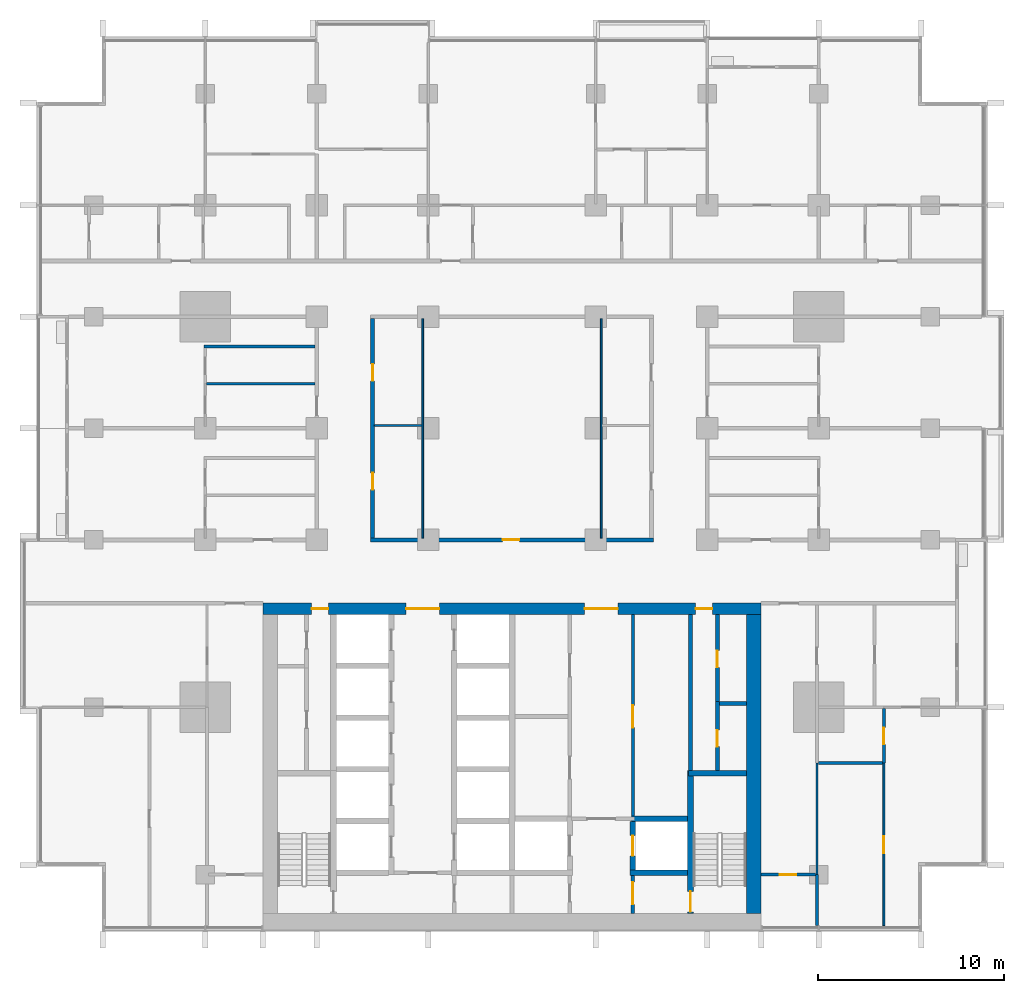
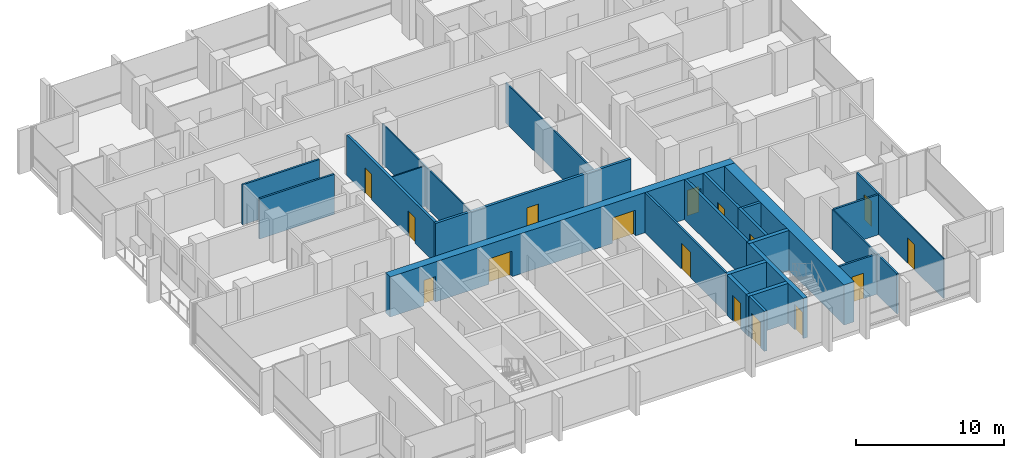
# One storey, part 9 of 17: 26 walls, 16 doors, 16 openings.
"""IFC4 building model written with IfcOpenShell, lengths in metres."""

from ifc_helpers import new_model, si_unit, direction, frame, frame_2d, origin, place, context, subcontext, project, spatial, rectangle, extrude, material, layer, layer_set, type_object, element, fill, save


model = new_model("IFC4")

# Units and contexts
model_context = context("Model", 3, precision=1e-05, world=origin(), true_north=direction((0.0, 1.0)))
body_context = subcontext(model_context, "Body", "Model", "MODEL_VIEW")
ifc_project = project(units=[si_unit("LENGTHUNIT", "METRE"), si_unit("AREAUNIT", "SQUARE_METRE"), si_unit("VOLUMEUNIT", "CUBIC_METRE"), si_unit("PLANEANGLEUNIT", "RADIAN"), si_unit("MASSUNIT", "GRAM", prefix="KILO")], contexts=[model_context])

# Site, building, storey
site_placement = place(None, origin())
site = spatial("IfcSite", under=ifc_project, at=site_placement, CompositionType="ELEMENT")
building_placement = place(site_placement, origin())
building = spatial("IfcBuilding", under=site, at=building_placement, Name="Finial Court Residences", CompositionType="ELEMENT")
storey_placement = place(building_placement, frame((0.0, 0.0, 102.699951171875)))
storey = spatial("IfcBuildingStorey", under=building, at=storey_placement, Name="L25", CompositionType="ELEMENT", Elevation=102.699951171875)

# Wall, openings, doors
ifc_material_1 = material(Name="Concrete C70/85", Category="concrete")
ifc_layer_1 = layer(ifc_material_1, 0.60009765625)
ifc_layer_set_1 = layer_set([ifc_layer_1], Name="Core outer wall 600 Concrete C70/85")
wall_type_1 = type_object("IfcWallType", Name="Core outer wall 600 Concrete C70/85", PredefinedType="SHEAR", material=ifc_layer_set_1)
wall_1_placement = place(storey_placement, frame((-13.39990234375, -8.199951171875, 0.0), z_axis=(0.0, 0.0, 1.0), x_axis=(1.0, 0.0, 0.0)))
wall_1 = element("IfcWall", 1, at=wall_1_placement, inside=storey, type_object=wall_type_1, Name="Core outer wall L25-02", PredefinedType="SHEAR", context=body_context, shape_type="SweptSolid", body=[
    extrude(rectangle(XDim=26.7998046875, YDim=0.60009765625, at=frame_2d((13.39990234375, 0.0))), origin(), (0.0, 0.0, 1.0), 3.300048828125),
])
opening_1_placement = place(wall_1_placement, frame((7.699951171875, 0.0, 0.0)))
opening_1 = element("IfcOpeningElement", 2, at=opening_1_placement, cuts=wall_1, Name="Opening L25-C04", PredefinedType="OPENING", context=body_context, shape_type="SweptSolid", body=[
    extrude(rectangle(XDim=1.800048828125, YDim=2.10009765625, at=frame_2d((0.89990234375, 1.050048828125))), frame((0.0, 0.31005859375, 0.0), z_axis=(0.0, -1.0, 0.0), x_axis=(1.0, 0.0, 0.0)), (0.0, 0.0, 1.0), 0.6201171875),
])
opening_2_placement = place(wall_1_placement, frame((17.300048828125, 0.0, 0.0)))
opening_2 = element("IfcOpeningElement", 3, at=opening_2_placement, cuts=wall_1, Name="Opening L25-C05", PredefinedType="OPENING", context=body_context, shape_type="SweptSolid", body=[
    extrude(rectangle(XDim=1.800048828125, YDim=2.10009765625, at=frame_2d((0.89990234375, 1.050048828125))), frame((0.0, 0.31005859375, 0.0), z_axis=(0.0, -1.0, 0.0), x_axis=(1.0, 0.0, 0.0)), (0.0, 0.0, 1.0), 0.6201171875),
])
opening_3_placement = place(wall_1_placement, frame((2.625, 0.0, 0.0)))
opening_3 = element("IfcOpeningElement", 4, at=opening_3_placement, cuts=wall_1, Name="Opening L25-C11", PredefinedType="OPENING", context=body_context, shape_type="SweptSolid", body=[
    extrude(rectangle(XDim=0.89990234375, YDim=2.10009765625, at=frame_2d((0.449951171875, 1.050048828125))), frame((0.0, 0.31005859375, 0.0), z_axis=(0.0, -1.0, 0.0), x_axis=(1.0, 0.0, 0.0)), (0.0, 0.0, 1.0), 0.6201171875),
])
opening_4_placement = place(wall_1_placement, frame((23.27490234375, 0.0, 0.0)))
opening_4 = element("IfcOpeningElement", 5, at=opening_4_placement, cuts=wall_1, Name="Opening L25-C12", PredefinedType="OPENING", context=body_context, shape_type="SweptSolid", body=[
    extrude(rectangle(XDim=0.89990234375, YDim=2.10009765625, at=frame_2d((0.449951171875, 1.050048828125))), frame((0.0, 0.31005859375, 0.0), z_axis=(0.0, -1.0, 0.0), x_axis=(1.0, 0.0, 0.0)), (0.0, 0.0, 1.0), 0.6201171875),
])
ifc_material_2 = material(Name="Steel fire door", Category="steel")
door_type_1 = type_object("IfcDoorType", Name="Lift lobby door 1800 x 2100 EI 60", OperationType="DOUBLE_DOOR_SINGLE_SWING", PredefinedType="DOOR", material=ifc_material_2)
door_1_placement = place(opening_1_placement, origin())
door_1 = element("IfcDoor", 6, at=door_1_placement, inside=storey, type_object=door_type_1, Name="Lift lobby door L25-C04", OperationType="DOUBLE_DOOR_SINGLE_SWING", OverallHeight=2.10009765625, OverallWidth=1.800048828125, PredefinedType="DOOR", context=body_context, shape_type="SweptSolid", body=[
    extrude(rectangle(XDim=1.800048828125, YDim=2.10009765625, at=frame_2d((0.89990234375, 1.050048828125))), frame((0.0, 0.02490234375, 0.0), z_axis=(0.0, -1.0, 0.0), x_axis=(1.0, 0.0, 0.0)), (0.0, 0.0, 1.0), 0.050048828125),
])
fill(opening_1, door_1)
door_2_placement = place(opening_2_placement, origin())
door_2 = element("IfcDoor", 7, at=door_2_placement, inside=storey, type_object=door_type_1, Name="Lift lobby door L25-C05", OperationType="DOUBLE_DOOR_SINGLE_SWING", OverallHeight=2.10009765625, OverallWidth=1.800048828125, PredefinedType="DOOR", context=body_context, shape_type="SweptSolid", body=[
    extrude(rectangle(XDim=1.800048828125, YDim=2.10009765625, at=frame_2d((0.89990234375, 1.050048828125))), frame((0.0, 0.02490234375, 0.0), z_axis=(0.0, -1.0, 0.0), x_axis=(1.0, 0.0, 0.0)), (0.0, 0.0, 1.0), 0.050048828125),
])
fill(opening_2, door_2)
door_type_2 = type_object("IfcDoorType", Name="Riser room door 900 x 2100 EI 90", OperationType="NOTDEFINED", PredefinedType="DOOR", material=ifc_material_2)
door_3_placement = place(opening_3_placement, origin())
door_3 = element("IfcDoor", 8, at=door_3_placement, inside=storey, type_object=door_type_2, Name="Riser room door L25-C11", OperationType="SINGLE_SWING_RIGHT", OverallHeight=2.10009765625, OverallWidth=0.89990234375, PredefinedType="DOOR", context=body_context, shape_type="SweptSolid", body=[
    extrude(rectangle(XDim=0.89990234375, YDim=2.10009765625, at=frame_2d((0.449951171875, 1.050048828125))), frame((0.0, 0.02490234375, 0.0), z_axis=(0.0, -1.0, 0.0), x_axis=(1.0, 0.0, 0.0)), (0.0, 0.0, 1.0), 0.050048828125),
])
fill(opening_3, door_3)
door_4_placement = place(opening_4_placement, origin())
door_4 = element("IfcDoor", 9, at=door_4_placement, inside=storey, type_object=door_type_2, Name="Riser room door L25-C12", OperationType="SINGLE_SWING_LEFT", OverallHeight=2.10009765625, OverallWidth=0.89990234375, PredefinedType="DOOR", context=body_context, shape_type="SweptSolid", body=[
    extrude(rectangle(XDim=0.89990234375, YDim=2.10009765625, at=frame_2d((0.449951171875, 1.050048828125))), frame((0.0, 0.02490234375, 0.0), z_axis=(0.0, -1.0, 0.0), x_axis=(1.0, 0.0, 0.0)), (0.0, 0.0, 1.0), 0.050048828125),
])
fill(opening_4, door_4)

# Wall
ifc_layer_2 = layer(ifc_material_1, 0.800048828125)
ifc_layer_set_2 = layer_set([ifc_layer_2], Name="Core outer wall 800 Concrete C70/85")
wall_type_2 = type_object("IfcWallType", Name="Core outer wall 800 Concrete C70/85", PredefinedType="SHEAR", material=ifc_layer_set_2)
wall_2_placement = place(storey_placement, frame((13.0, -24.60009765625, 0.0), z_axis=(0.0, 0.0, 1.0), x_axis=(0.0, 1.0, 0.0)))
element("IfcWall", 10, at=wall_2_placement, inside=storey, type_object=wall_type_2, Name="Core outer wall L25-04", PredefinedType="SHEAR", context=body_context, shape_type="SweptSolid", body=[
    extrude(rectangle(XDim=16.10009765625, YDim=0.800048828125, at=frame_2d((8.050048828125, 0.0))), origin(), (0.0, 0.0, 1.0), 3.300048828125),
])

# Wall, opening, door
ifc_material_3 = material(Name="Fire-rated gypsum board partition")
ifc_layer_3 = layer(ifc_material_3, 0.14990234375)
ifc_layer_set_3 = layer_set([ifc_layer_3], Name="Core room partition 150 EI 60")
wall_type_3 = type_object("IfcWallType", Name="Core room partition 150 EI 60", PredefinedType="PARTITIONING", material=ifc_layer_set_3)
wall_3_placement = place(storey_placement, frame((6.5, -8.5, 0.0), z_axis=(0.0, 0.0, 1.0), x_axis=(0.0, -1.0, 0.0)))
wall_3 = element("IfcWall", 11, at=wall_3_placement, inside=storey, type_object=wall_type_3, Name="Core partition L25-35", PredefinedType="PARTITIONING", context=body_context, shape_type="SweptSolid", body=[
    extrude(rectangle(XDim=10.85009765625, YDim=0.14990234375, at=frame_2d((5.425048828125, 0.0))), origin(), (0.0, 0.0, 1.0), 3.300048828125),
])
opening_5_placement = place(wall_3_placement, frame((4.89990234375, 0.0, 0.0)))
opening_5 = element("IfcOpeningElement", 12, at=opening_5_placement, cuts=wall_3, Name="Opening L25-C16", PredefinedType="OPENING", context=body_context, shape_type="SweptSolid", body=[
    extrude(rectangle(XDim=1.199951171875, YDim=2.10009765625, at=frame_2d((0.60009765625, 1.050048828125))), frame((0.0, 0.0849609375, 0.0), z_axis=(0.0, -1.0, 0.0), x_axis=(1.0, 0.0, 0.0)), (0.0, 0.0, 1.0), 0.169921875),
])
door_type_3 = type_object("IfcDoorType", Name="Core room door 1200 x 2100 EI 60", OperationType="NOTDEFINED", PredefinedType="DOOR", material=ifc_material_2)
door_5_placement = place(opening_5_placement, origin())
door_5 = element("IfcDoor", 13, at=door_5_placement, inside=storey, type_object=door_type_3, Name="Core room door L25-C16", OperationType="SINGLE_SWING_RIGHT", OverallHeight=2.10009765625, OverallWidth=1.199951171875, PredefinedType="DOOR", context=body_context, shape_type="SweptSolid", body=[
    extrude(rectangle(XDim=1.199951171875, YDim=2.10009765625, at=frame_2d((0.60009765625, 1.050048828125))), frame((0.0, 0.02490234375, 0.0), z_axis=(0.0, -1.0, 0.0), x_axis=(1.0, 0.0, 0.0)), (0.0, 0.0, 1.0), 0.050048828125),
])
fill(opening_5, door_5)

ifc_material_4 = material(Name="Gypsum board")
ifc_layer_4 = layer(ifc_material_4, 0.02490234375)
ifc_material_5 = material(Name="Acoustic mineral wool in double frame")
ifc_layer_5 = layer(ifc_material_5, 0.14990234375)
ifc_layer_6 = layer(ifc_material_4, 0.02490234375)
ifc_layer_set_4 = layer_set([ifc_layer_4, ifc_layer_5, ifc_layer_6], Name="Corridor wall 200, 1 hour")
wall_type_4 = type_object("IfcWallType", Name="Corridor wall 200, 1 hour", PredefinedType="PARTITIONING", material=ifc_layer_set_4)
wall_4_placement = place(storey_placement, frame((-7.60009765625, -4.5, 0.0), z_axis=(0.0, 0.0, 1.0), x_axis=(1.0, 0.0, 0.0)))
wall_4 = element("IfcWall", 14, at=wall_4_placement, inside=storey, type_object=wall_type_4, Name="Partition L25-010", PredefinedType="PARTITIONING", context=body_context, shape_type="SweptSolid", body=[
    extrude(rectangle(XDim=15.2001953125, YDim=0.199951171875, at=frame_2d((7.60009765625, 0.0))), origin(), (0.0, 0.0, 1.0), 3.300048828125),
])
opening_6_placement = place(wall_4_placement, frame((7.10009765625, 0.0, 0.0)))
opening_6 = element("IfcOpeningElement", 15, at=opening_6_placement, cuts=wall_4, Name="Opening L25-D008", PredefinedType="OPENING", context=body_context, shape_type="SweptSolid", body=[
    extrude(rectangle(XDim=0.89990234375, YDim=2.10009765625, at=frame_2d((0.449951171875, 1.050048828125))), frame((0.0, 0.10986328125, 0.0), z_axis=(0.0, -1.0, 0.0), x_axis=(1.0, 0.0, 0.0)), (0.0, 0.0, 1.0), 0.219970703125),
])
ifc_material_6 = material(Name="Timber door leaf in hollow metal frame", Category="wood")
door_type_4 = type_object("IfcDoorType", Name="Fire door set 900 x 2100, 30 minutes", OperationType="SINGLE_SWING_LEFT", PredefinedType="DOOR", material=ifc_material_6)
door_6_placement = place(opening_6_placement, origin())
door_6 = element("IfcDoor", 16, at=door_6_placement, inside=storey, type_object=door_type_4, Name="Door L25-D008", OperationType="SINGLE_SWING_LEFT", OverallHeight=2.10009765625, OverallWidth=0.89990234375, PredefinedType="DOOR", context=body_context, shape_type="SweptSolid", body=[
    extrude(rectangle(XDim=0.89990234375, YDim=2.10009765625, at=frame_2d((0.449951171875, 1.050048828125))), frame((0.0, 0.02490234375, 0.0), z_axis=(0.0, -1.0, 0.0), x_axis=(1.0, 0.0, 0.0)), (0.0, 0.0, 1.0), 0.050048828125),
])
fill(opening_6, door_6)

# Wall, openings, doors
wall_5_placement = place(storey_placement, frame((-7.5, -4.39990234375, 0.0), z_axis=(0.0, 0.0, 1.0), x_axis=(0.0, 1.0, 0.0)))
wall_5 = element("IfcWall", 17, at=wall_5_placement, inside=storey, type_object=wall_type_4, Name="Partition L25-057", PredefinedType="PARTITIONING", context=body_context, shape_type="SweptSolid", body=[
    extrude(rectangle(XDim=11.7998046875, YDim=0.199951171875, at=frame_2d((5.89990234375, 0.0))), origin(), (0.0, 0.0, 1.0), 3.300048828125),
])
opening_7_placement = place(wall_5_placement, frame((2.60009765625, 0.0, 0.0)))
opening_7 = element("IfcOpeningElement", 18, at=opening_7_placement, cuts=wall_5, Name="Opening L25-D033", PredefinedType="OPENING", context=body_context, shape_type="SweptSolid", body=[
    extrude(rectangle(XDim=0.89990234375, YDim=2.10009765625, at=frame_2d((0.449951171875, 1.050048828125))), frame((0.0, 0.10986328125, 0.0), z_axis=(0.0, -1.0, 0.0), x_axis=(1.0, 0.0, 0.0)), (0.0, 0.0, 1.0), 0.219970703125),
])
opening_8_placement = place(wall_5_placement, frame((8.449951171875, 0.0, 0.0)))
opening_8 = element("IfcOpeningElement", 19, at=opening_8_placement, cuts=wall_5, Name="Opening L25-D034", PredefinedType="OPENING", context=body_context, shape_type="SweptSolid", body=[
    extrude(rectangle(XDim=0.89990234375, YDim=2.10009765625, at=frame_2d((0.449951171875, 1.050048828125))), frame((0.0, 0.10986328125, 0.0), z_axis=(0.0, -1.0, 0.0), x_axis=(1.0, 0.0, 0.0)), (0.0, 0.0, 1.0), 0.219970703125),
])
door_7_placement = place(opening_7_placement, origin())
door_7 = element("IfcDoor", 20, at=door_7_placement, inside=storey, type_object=door_type_4, Name="Door L25-D033", OperationType="SINGLE_SWING_LEFT", OverallHeight=2.10009765625, OverallWidth=0.89990234375, PredefinedType="DOOR", context=body_context, shape_type="SweptSolid", body=[
    extrude(rectangle(XDim=0.89990234375, YDim=2.10009765625, at=frame_2d((0.449951171875, 1.050048828125))), frame((0.0, 0.02490234375, 0.0), z_axis=(0.0, -1.0, 0.0), x_axis=(1.0, 0.0, 0.0)), (0.0, 0.0, 1.0), 0.050048828125),
])
fill(opening_7, door_7)
door_8_placement = place(opening_8_placement, origin())
door_8 = element("IfcDoor", 21, at=door_8_placement, inside=storey, type_object=door_type_4, Name="Door L25-D034", OperationType="SINGLE_SWING_RIGHT", OverallHeight=2.10009765625, OverallWidth=0.89990234375, PredefinedType="DOOR", context=body_context, shape_type="SweptSolid", body=[
    extrude(rectangle(XDim=0.89990234375, YDim=2.10009765625, at=frame_2d((0.449951171875, 1.050048828125))), frame((0.0, 0.02490234375, 0.0), z_axis=(0.0, -1.0, 0.0), x_axis=(1.0, 0.0, 0.0)), (0.0, 0.0, 1.0), 0.050048828125),
])
fill(opening_8, door_8)

# Wall, opening, door
ifc_layer_7 = layer(ifc_material_3, 0.199951171875)
ifc_layer_set_5 = layer_set([ifc_layer_7], Name="Firefighting lobby wall 200 EI 120")
wall_type_5 = type_object("IfcWallType", Name="Firefighting lobby wall 200 EI 120", PredefinedType="PARTITIONING", material=ifc_layer_set_5)
wall_6_placement = place(storey_placement, frame((6.5, -22.550048828125, 0.0), z_axis=(0.0, 0.0, 1.0), x_axis=(0.0, -1.0, 0.0)))
wall_6 = element("IfcWall", 22, at=wall_6_placement, inside=storey, type_object=wall_type_5, Name="Core partition L25-33", PredefinedType="PARTITIONING", context=body_context, shape_type="SweptSolid", body=[
    extrude(rectangle(XDim=2.050048828125, YDim=0.199951171875, at=frame_2d((1.02490234375, 0.0))), origin(), (0.0, 0.0, 1.0), 3.300048828125),
])
opening_9_placement = place(wall_6_placement, frame((0.35009765625, 0.0, 0.0)))
opening_9 = element("IfcOpeningElement", 23, at=opening_9_placement, cuts=wall_6, Name="Opening L25-C01", PredefinedType="OPENING", context=body_context, shape_type="SweptSolid", body=[
    extrude(rectangle(XDim=1.199951171875, YDim=2.10009765625, at=frame_2d((0.60009765625, 1.050048828125))), frame((0.0, 0.10986328125, 0.0), z_axis=(0.0, -1.0, 0.0), x_axis=(1.0, 0.0, 0.0)), (0.0, 0.0, 1.0), 0.219970703125),
])
door_type_5 = type_object("IfcDoorType", Name="Firefighting lobby door 1200 x 2100 EI 90", OperationType="NOTDEFINED", PredefinedType="DOOR", material=ifc_material_2)
door_9_placement = place(opening_9_placement, origin())
door_9 = element("IfcDoor", 24, at=door_9_placement, inside=storey, type_object=door_type_5, Name="Firefighting lobby door L25-C01", OperationType="SINGLE_SWING_RIGHT", OverallHeight=2.10009765625, OverallWidth=1.199951171875, PredefinedType="DOOR", context=body_context, shape_type="SweptSolid", body=[
    extrude(rectangle(XDim=1.199951171875, YDim=2.10009765625, at=frame_2d((0.60009765625, 1.050048828125))), frame((0.0, 0.02490234375, 0.0), z_axis=(0.0, -1.0, 0.0), x_axis=(1.0, 0.0, 0.0)), (0.0, 0.0, 1.0), 0.050048828125),
])
fill(opening_9, door_9)

# Walls
ifc_layer_8 = layer(ifc_material_4, 0.012451171875)
ifc_material_7 = material(Name="Mineral wool in light-gauge frame")
ifc_layer_9 = layer(ifc_material_7, 0.074951171875)
ifc_layer_10 = layer(ifc_material_4, 0.012451171875)
ifc_layer_set_6 = layer_set([ifc_layer_8, ifc_layer_9, ifc_layer_10], Name="Gypsum board partition 100")
wall_type_6 = type_object("IfcWallType", Name="Gypsum board partition 100", PredefinedType="PARTITIONING", material=ifc_layer_set_6)
wall_7_placement = place(storey_placement, frame((-7.39990234375, 1.64990234375, 0.0), z_axis=(0.0, 0.0, 1.0), x_axis=(1.0, 0.0, 0.0)))
element("IfcWall", 25, at=wall_7_placement, inside=storey, type_object=wall_type_6, Name="Partition L25-018", PredefinedType="PARTITIONING", context=body_context, shape_type="SweptSolid", body=[
    extrude(rectangle(XDim=2.5498046875, YDim=0.10009765625, at=frame_2d((1.27490234375, 0.0))), origin(), (0.0, 0.0, 1.0), 3.300048828125),
])
for number, where, z_axis, x_axis, name in (
    (26, (-4.800048828125, -4.39990234375, 0.0), (0.0, 0.0, 1.0), (0.0, 1.0, 0.0), "Partition L25-058"),
    (27, (4.800048828125, -4.39990234375, 0.0), (0.0, 0.0, 1.0), (0.0, 1.0, 0.0), "Partition L25-064"),
):
    element("IfcWall", number, at=place(storey_placement, frame(where, z_axis=z_axis, x_axis=x_axis)), inside=storey, type_object=wall_type_6, Name=name, PredefinedType="PARTITIONING", context=body_context, shape_type="SweptSolid", body=[
        extrude(rectangle(XDim=11.7998046875, YDim=0.10009765625, at=frame_2d((5.89990234375, 0.0))), origin(), (0.0, 0.0, 1.0), 3.300048828125),
    ])
wall_8_placement = place(storey_placement, frame((16.39990234375, -22.5, 0.0), z_axis=(0.0, 0.0, 1.0), x_axis=(0.0, 1.0, 0.0)))
element("IfcWall", 28, at=wall_8_placement, inside=storey, type_object=wall_type_6, Name="Partition L25-071", PredefinedType="PARTITIONING", context=body_context, shape_type="SweptSolid", body=[
    extrude(rectangle(XDim=6.0, YDim=0.10009765625, at=frame_2d((3.0, 0.0))), origin(), (0.0, 0.0, 1.0), 3.300048828125),
])

# Wall, opening, door
wall_9_placement = place(storey_placement, frame((20.0, -25.25, 0.0), z_axis=(0.0, 0.0, 1.0), x_axis=(0.0, 1.0, 0.0)))
wall_9 = element("IfcWall", 29, at=wall_9_placement, inside=storey, type_object=wall_type_6, Name="Partition L25-082", PredefinedType="PARTITIONING", context=body_context, shape_type="SweptSolid", body=[
    extrude(rectangle(XDim=8.75, YDim=0.10009765625, at=frame_2d((4.375, 0.0))), origin(), (0.0, 0.0, 1.0), 3.300048828125),
])
opening_10_placement = place(wall_9_placement, frame((3.89990234375, 0.0, 0.0)))
opening_10 = element("IfcOpeningElement", 30, at=opening_10_placement, cuts=wall_9, Name="Opening L25-D051", PredefinedType="OPENING", context=body_context, shape_type="SweptSolid", body=[
    extrude(rectangle(XDim=0.89990234375, YDim=2.10009765625, at=frame_2d((0.449951171875, 1.050048828125))), frame((0.0, 0.06005859375, 0.0), z_axis=(0.0, -1.0, 0.0), x_axis=(1.0, 0.0, 0.0)), (0.0, 0.0, 1.0), 0.1201171875),
])
ifc_material_8 = material(Name="Timber door leaf in timber frame", Category="wood")
door_type_6 = type_object("IfcDoorType", Name="Door set 900 x 2100", OperationType="SINGLE_SWING_LEFT", PredefinedType="DOOR", material=ifc_material_8)
door_10_placement = place(opening_10_placement, origin())
door_10 = element("IfcDoor", 31, at=door_10_placement, inside=storey, type_object=door_type_6, Name="Door L25-D051", OperationType="SINGLE_SWING_LEFT", OverallHeight=2.10009765625, OverallWidth=0.89990234375, PredefinedType="DOOR", context=body_context, shape_type="SweptSolid", body=[
    extrude(rectangle(XDim=0.89990234375, YDim=2.10009765625, at=frame_2d((0.449951171875, 1.050048828125))), frame((0.0, 0.02490234375, 0.0), z_axis=(0.0, -1.0, 0.0), x_axis=(1.0, 0.0, 0.0)), (0.0, 0.0, 1.0), 0.050048828125),
])
fill(opening_10, door_10)

ifc_material_9 = material(Name="Moisture-resistant gypsum board")
ifc_layer_11 = layer(ifc_material_9, 0.012451171875)
ifc_layer_12 = layer(ifc_material_7, 0.125)
ifc_layer_13 = layer(ifc_material_9, 0.012451171875)
ifc_layer_set_7 = layer_set([ifc_layer_11, ifc_layer_12, ifc_layer_13], Name="Gypsum board wet-area partition 150")
wall_type_7 = type_object("IfcWallType", Name="Gypsum board wet-area partition 150", PredefinedType="PARTITIONING", material=ifc_layer_set_7)
wall_10_placement = place(storey_placement, frame((13.39990234375, -22.5, 0.0), z_axis=(0.0, 0.0, 1.0), x_axis=(1.0, 0.0, 0.0)))
wall_10 = element("IfcWall", 32, at=wall_10_placement, inside=storey, type_object=wall_type_7, Name="Partition L25-001", PredefinedType="PARTITIONING", context=body_context, shape_type="SweptSolid", body=[
    extrude(rectangle(XDim=2.925048828125, YDim=0.14990234375, at=frame_2d((1.46240234375, 0.0))), origin(), (0.0, 0.0, 1.0), 3.300048828125),
])
opening_11_placement = place(wall_10_placement, frame((1.0, 0.0, 0.0)))
opening_11 = element("IfcOpeningElement", 33, at=opening_11_placement, cuts=wall_10, Name="Opening L25-D002", PredefinedType="OPENING", context=body_context, shape_type="SweptSolid", body=[
    extrude(rectangle(XDim=0.89990234375, YDim=2.10009765625, at=frame_2d((0.449951171875, 1.050048828125))), frame((0.0, 0.0849609375, 0.0), z_axis=(0.0, -1.0, 0.0), x_axis=(1.0, 0.0, 0.0)), (0.0, 0.0, 1.0), 0.169921875),
])
door_11_placement = place(opening_11_placement, origin())
door_11 = element("IfcDoor", 34, at=door_11_placement, inside=storey, type_object=door_type_6, Name="Door L25-D002", OperationType="SINGLE_SWING_LEFT", OverallHeight=2.10009765625, OverallWidth=0.89990234375, PredefinedType="DOOR", context=body_context, shape_type="SweptSolid", body=[
    extrude(rectangle(XDim=0.89990234375, YDim=2.10009765625, at=frame_2d((0.449951171875, 1.050048828125))), frame((0.0, 0.02490234375, 0.0), z_axis=(0.0, -1.0, 0.0), x_axis=(1.0, 0.0, 0.0)), (0.0, 0.0, 1.0), 0.050048828125),
])
fill(opening_11, door_11)

# Walls
wall_11_placement = place(storey_placement, frame((16.47509765625, -16.5, 0.0), z_axis=(0.0, 0.0, 1.0), x_axis=(1.0, 0.0, 0.0)))
element("IfcWall", 35, at=wall_11_placement, inside=storey, type_object=wall_type_7, Name="Partition L25-002", PredefinedType="PARTITIONING", context=body_context, shape_type="SweptSolid", body=[
    extrude(rectangle(XDim=3.449951171875, YDim=0.14990234375, at=frame_2d((1.72509765625, 0.0))), origin(), (0.0, 0.0, 1.0), 3.300048828125),
])
wall_12_placement = place(storey_placement, frame((-16.425048828125, 3.89990234375, 0.0), z_axis=(0.0, 0.0, 1.0), x_axis=(1.0, 0.0, 0.0)))
element("IfcWall", 36, at=wall_12_placement, inside=storey, type_object=wall_type_7, Name="Partition L25-020", PredefinedType="PARTITIONING", context=body_context, shape_type="SweptSolid", body=[
    extrude(rectangle(XDim=5.824951171875, YDim=0.14990234375, at=frame_2d((2.91259765625, 0.0))), origin(), (0.0, 0.0, 1.0), 3.300048828125),
])
wall_13_placement = place(storey_placement, frame((-16.574951171875, 5.89990234375, 0.0), z_axis=(0.0, 0.0, 1.0), x_axis=(1.0, 0.0, 0.0)))
element("IfcWall", 37, at=wall_13_placement, inside=storey, type_object=wall_type_7, Name="Partition L25-022", PredefinedType="PARTITIONING", context=body_context, shape_type="SweptSolid", body=[
    extrude(rectangle(XDim=5.974853515625, YDim=0.14990234375, at=frame_2d((2.9873046875, 0.0))), origin(), (0.0, 0.0, 1.0), 3.300048828125),
])
wall_14_placement = place(storey_placement, frame((16.39990234375, -25.25, 0.0), z_axis=(0.0, 0.0, 1.0), x_axis=(0.0, 1.0, 0.0)))
element("IfcWall", 38, at=wall_14_placement, inside=storey, type_object=wall_type_7, Name="Partition L25-072", PredefinedType="PARTITIONING", context=body_context, shape_type="SweptSolid", body=[
    extrude(rectangle(XDim=2.75, YDim=0.14990234375, at=frame_2d((1.375, 0.0))), origin(), (0.0, 0.0, 1.0), 3.300048828125),
])

# Wall, opening, door
wall_15_placement = place(storey_placement, frame((20.0, -16.5, 0.0), z_axis=(0.0, 0.0, 1.0), x_axis=(0.0, 1.0, 0.0)))
wall_15 = element("IfcWall", 39, at=wall_15_placement, inside=storey, type_object=wall_type_7, Name="Partition L25-083", PredefinedType="PARTITIONING", context=body_context, shape_type="SweptSolid", body=[
    extrude(rectangle(XDim=2.925048828125, YDim=0.14990234375, at=frame_2d((1.46240234375, 0.0))), origin(), (0.0, 0.0, 1.0), 3.300048828125),
])
opening_12_placement = place(wall_15_placement, frame((1.0, 0.0, 0.0)))
opening_12 = element("IfcOpeningElement", 40, at=opening_12_placement, cuts=wall_15, Name="Opening L25-D052", PredefinedType="OPENING", context=body_context, shape_type="SweptSolid", body=[
    extrude(rectangle(XDim=0.89990234375, YDim=2.10009765625, at=frame_2d((0.449951171875, 1.050048828125))), frame((0.0, 0.0849609375, 0.0), z_axis=(0.0, -1.0, 0.0), x_axis=(1.0, 0.0, 0.0)), (0.0, 0.0, 1.0), 0.169921875),
])
door_12_placement = place(opening_12_placement, origin())
door_12 = element("IfcDoor", 41, at=door_12_placement, inside=storey, type_object=door_type_6, Name="Door L25-D052", OperationType="SINGLE_SWING_LEFT", OverallHeight=2.10009765625, OverallWidth=0.89990234375, PredefinedType="DOOR", context=body_context, shape_type="SweptSolid", body=[
    extrude(rectangle(XDim=0.89990234375, YDim=2.10009765625, at=frame_2d((0.449951171875, 1.050048828125))), frame((0.0, 0.02490234375, 0.0), z_axis=(0.0, -1.0, 0.0), x_axis=(1.0, 0.0, 0.0)), (0.0, 0.0, 1.0), 0.050048828125),
])
fill(opening_12, door_12)

# Walls
ifc_layer_14 = layer(ifc_material_1, 0.300048828125)
ifc_layer_set_8 = layer_set([ifc_layer_14], Name="Lift shaft and stair wall 300 Concrete C70/85")
wall_type_8 = type_object("IfcWallType", Name="Lift shaft and stair wall 300 Concrete C70/85", PredefinedType="SHEAR", material=ifc_layer_set_8)
wall_16_placement = place(storey_placement, frame((6.35009765625, -22.39990234375, 0.0), z_axis=(0.0, 0.0, 1.0), x_axis=(1.0, 0.0, 0.0)))
element("IfcWall", 42, at=wall_16_placement, inside=storey, type_object=wall_type_8, Name="Core wall L25-04", PredefinedType="SHEAR", context=body_context, shape_type="SweptSolid", body=[
    extrude(rectangle(XDim=3.099853515625, YDim=0.300048828125, at=frame_2d((1.5498046875, 0.0))), origin(), (0.0, 0.0, 1.0), 3.300048828125),
])
wall_17_placement = place(storey_placement, frame((6.425048828125, -19.5, 0.0), z_axis=(0.0, 0.0, 1.0), x_axis=(1.0, 0.0, 0.0)))
element("IfcWall", 43, at=wall_17_placement, inside=storey, type_object=wall_type_8, Name="Core wall L25-09", PredefinedType="SHEAR", context=body_context, shape_type="SweptSolid", body=[
    extrude(rectangle(XDim=3.02490234375, YDim=0.300048828125, at=frame_2d((1.512451171875, 0.0))), origin(), (0.0, 0.0, 1.0), 3.300048828125),
])
wall_18_placement = place(storey_placement, frame((9.5, -17.050048828125, 0.0), z_axis=(0.0, 0.0, 1.0), x_axis=(1.0, 0.0, 0.0)))
element("IfcWall", 44, at=wall_18_placement, inside=storey, type_object=wall_type_8, Name="Core wall L25-11", PredefinedType="SHEAR", context=body_context, shape_type="SweptSolid", body=[
    extrude(rectangle(XDim=3.10009765625, YDim=0.300048828125, at=frame_2d((1.550048828125, 0.0))), origin(), (0.0, 0.0, 1.0), 3.300048828125),
])

# Wall, opening, door
wall_19_placement = place(storey_placement, frame((6.5, -22.25, 0.0), z_axis=(0.0, 0.0, 1.0), x_axis=(0.0, 1.0, 0.0)))
wall_19 = element("IfcWall", 45, at=wall_19_placement, inside=storey, type_object=wall_type_8, Name="Core wall L25-34", PredefinedType="SHEAR", context=body_context, shape_type="SweptSolid", body=[
    extrude(rectangle(XDim=2.60009765625, YDim=0.300048828125, at=frame_2d((1.300048828125, 0.0))), origin(), (0.0, 0.0, 1.0), 3.300048828125),
])
opening_13_placement = place(wall_19_placement, frame((0.75, 0.0, 0.0)))
opening_13 = element("IfcOpeningElement", 46, at=opening_13_placement, cuts=wall_19, Name="Opening L25-LD02", PredefinedType="OPENING", context=body_context, shape_type="SweptSolid", body=[
    extrude(rectangle(XDim=1.10009765625, YDim=2.10009765625, at=frame_2d((0.550048828125, 1.050048828125))), frame((0.0, 0.159912109375, 0.0), z_axis=(0.0, -1.0, 0.0), x_axis=(1.0, 0.0, 0.0)), (0.0, 0.0, 1.0), 0.320068359375),
])
ifc_material_10 = material(Name="Stainless steel lift door", Category="steel")
door_type_7 = type_object("IfcDoorType", Name="Lift landing door 1100 x 2100 EI 90", OperationType="DOUBLE_DOOR_SLIDING", PredefinedType="DOOR", material=ifc_material_10)
door_13_placement = place(opening_13_placement, origin())
door_13 = element("IfcDoor", 47, at=door_13_placement, inside=storey, type_object=door_type_7, Name="Lift landing door FF2 L25", OperationType="DOUBLE_DOOR_SLIDING", OverallHeight=2.10009765625, OverallWidth=1.10009765625, PredefinedType="DOOR", context=body_context, shape_type="SweptSolid", body=[
    extrude(rectangle(XDim=1.10009765625, YDim=2.10009765625, at=frame_2d((0.550048828125, 1.050048828125))), frame((0.0, 0.02490234375, 0.0), z_axis=(0.0, -1.0, 0.0), x_axis=(1.0, 0.0, 0.0)), (0.0, 0.0, 1.0), 0.050048828125),
])
fill(opening_13, door_13)

wall_20_placement = place(storey_placement, frame((9.60009765625, -16.89990234375, 0.0), z_axis=(0.0, 0.0, 1.0), x_axis=(0.0, -1.0, 0.0)))
wall_20 = element("IfcWall", 48, at=wall_20_placement, inside=storey, type_object=wall_type_8, Name="Core wall L25-36", PredefinedType="SHEAR", context=body_context, shape_type="SweptSolid", body=[
    extrude(rectangle(XDim=7.7001953125, YDim=0.300048828125, at=frame_2d((3.85009765625, 0.0))), origin(), (0.0, 0.0, 1.0), 3.300048828125),
])
opening_14_placement = place(wall_20_placement, frame((6.5, 0.0, 0.0)))
opening_14 = element("IfcOpeningElement", 49, at=opening_14_placement, cuts=wall_20, Name="Opening L25-C18", PredefinedType="OPENING", context=body_context, shape_type="SweptSolid", body=[
    extrude(rectangle(XDim=1.10009765625, YDim=2.10009765625, at=frame_2d((0.550048828125, 1.050048828125))), frame((0.0, 0.159912109375, 0.0), z_axis=(0.0, -1.0, 0.0), x_axis=(1.0, 0.0, 0.0)), (0.0, 0.0, 1.0), 0.320068359375),
])
door_type_8 = type_object("IfcDoorType", Name="Stair door 1100 x 2100 EI 90", OperationType="NOTDEFINED", PredefinedType="DOOR", material=ifc_material_2)
door_14_placement = place(opening_14_placement, origin())
door_14 = element("IfcDoor", 50, at=door_14_placement, inside=storey, type_object=door_type_8, Name="Stair door L25-C18", OperationType="SINGLE_SWING_RIGHT", OverallHeight=2.10009765625, OverallWidth=1.10009765625, PredefinedType="DOOR", context=body_context, shape_type="SweptSolid", body=[
    extrude(rectangle(XDim=1.10009765625, YDim=2.10009765625, at=frame_2d((0.550048828125, 1.050048828125))), frame((0.0, 0.02490234375, 0.0), z_axis=(0.0, -1.0, 0.0), x_axis=(1.0, 0.0, 0.0)), (0.0, 0.0, 1.0), 0.050048828125),
])
fill(opening_14, door_14)

# Wall
ifc_layer_15 = layer(ifc_material_3, 0.199951171875)
ifc_layer_set_9 = layer_set([ifc_layer_15], Name="Riser room wall 200 EI 120")
wall_type_9 = type_object("IfcWallType", Name="Riser room wall 200 EI 120", PredefinedType="PARTITIONING", material=ifc_layer_set_9)
wall_21_placement = place(storey_placement, frame((11.14990234375, -13.300048828125, 0.0), z_axis=(0.0, 0.0, 1.0), x_axis=(1.0, 0.0, 0.0)))
element("IfcWall", 51, at=wall_21_placement, inside=storey, type_object=wall_type_9, Name="Core partition L25-17", PredefinedType="PARTITIONING", context=body_context, shape_type="SweptSolid", body=[
    extrude(rectangle(XDim=1.4501953125, YDim=0.199951171875, at=frame_2d((0.72509765625, 0.0))), origin(), (0.0, 0.0, 1.0), 3.300048828125),
])

# Wall, opening, door
wall_22_placement = place(storey_placement, frame((11.050048828125, -8.5, 0.0), z_axis=(0.0, 0.0, 1.0), x_axis=(0.0, -1.0, 0.0)))
wall_22 = element("IfcWall", 52, at=wall_22_placement, inside=storey, type_object=wall_type_9, Name="Core partition L25-39", PredefinedType="PARTITIONING", context=body_context, shape_type="SweptSolid", body=[
    extrude(rectangle(XDim=4.89990234375, YDim=0.199951171875, at=frame_2d((2.449951171875, 0.0))), origin(), (0.0, 0.0, 1.0), 3.300048828125),
])
opening_15_placement = place(wall_22_placement, frame((1.949951171875, 0.0, 0.0)))
opening_15 = element("IfcOpeningElement", 53, at=opening_15_placement, cuts=wall_22, Name="Opening L25-C08", PredefinedType="OPENING", context=body_context, shape_type="SweptSolid", body=[
    extrude(rectangle(XDim=0.89990234375, YDim=2.10009765625, at=frame_2d((0.449951171875, 1.050048828125))), frame((0.0, 0.10986328125, 0.0), z_axis=(0.0, -1.0, 0.0), x_axis=(1.0, 0.0, 0.0)), (0.0, 0.0, 1.0), 0.219970703125),
])
door_15_placement = place(opening_15_placement, origin())
door_15 = element("IfcDoor", 54, at=door_15_placement, inside=storey, type_object=door_type_2, Name="Riser room door L25-C08", OperationType="SINGLE_SWING_RIGHT", OverallHeight=2.10009765625, OverallWidth=0.89990234375, PredefinedType="DOOR", context=body_context, shape_type="SweptSolid", body=[
    extrude(rectangle(XDim=0.89990234375, YDim=2.10009765625, at=frame_2d((0.449951171875, 1.050048828125))), frame((0.0, 0.02490234375, 0.0), z_axis=(0.0, -1.0, 0.0), x_axis=(1.0, 0.0, 0.0)), (0.0, 0.0, 1.0), 0.050048828125),
])
fill(opening_15, door_15)

# Wall
ifc_layer_16 = layer(ifc_material_3, 0.199951171875)
ifc_layer_set_10 = layer_set([ifc_layer_16], Name="Stair passage wall 200 EI 180")
wall_type_10 = type_object("IfcWallType", Name="Stair passage wall 200 EI 180", PredefinedType="PARTITIONING", material=ifc_layer_set_10)
wall_23_placement = place(storey_placement, frame((9.60009765625, -16.89990234375, 0.0), z_axis=(0.0, 0.0, 1.0), x_axis=(0.0, 1.0, 0.0)))
element("IfcWall", 55, at=wall_23_placement, inside=storey, type_object=wall_type_10, Name="Core partition L25-37", PredefinedType="PARTITIONING", context=body_context, shape_type="SweptSolid", body=[
    extrude(rectangle(XDim=8.39990234375, YDim=0.199951171875, at=frame_2d((4.199951171875, 0.0))), origin(), (0.0, 0.0, 1.0), 3.300048828125),
])

# Wall, opening, door
wall_24_placement = place(storey_placement, frame((11.050048828125, -13.199951171875, 0.0), z_axis=(0.0, 0.0, 1.0), x_axis=(0.0, -1.0, 0.0)))
wall_24 = element("IfcWall", 56, at=wall_24_placement, inside=storey, type_object=wall_type_10, Name="Core partition L25-38", PredefinedType="PARTITIONING", context=body_context, shape_type="SweptSolid", body=[
    extrude(rectangle(XDim=3.699951171875, YDim=0.199951171875, at=frame_2d((1.85009765625, 0.0))), origin(), (0.0, 0.0, 1.0), 3.300048828125),
])
opening_16_placement = place(wall_24_placement, frame((1.52490234375, 0.0, 0.0)))
opening_16 = element("IfcOpeningElement", 57, at=opening_16_placement, cuts=wall_24, Name="Opening L25-C15", PredefinedType="OPENING", context=body_context, shape_type="SweptSolid", body=[
    extrude(rectangle(XDim=0.89990234375, YDim=2.10009765625, at=frame_2d((0.449951171875, 1.050048828125))), frame((0.0, 0.10986328125, 0.0), z_axis=(0.0, -1.0, 0.0), x_axis=(1.0, 0.0, 0.0)), (0.0, 0.0, 1.0), 0.219970703125),
])
door_type_9 = type_object("IfcDoorType", Name="Core room door 900 x 2100 EI 60", OperationType="NOTDEFINED", PredefinedType="DOOR", material=ifc_material_2)
door_16_placement = place(opening_16_placement, origin())
door_16 = element("IfcDoor", 58, at=door_16_placement, inside=storey, type_object=door_type_9, Name="Core room door L25-C15", OperationType="SINGLE_SWING_RIGHT", OverallHeight=2.10009765625, OverallWidth=0.89990234375, PredefinedType="DOOR", context=body_context, shape_type="SweptSolid", body=[
    extrude(rectangle(XDim=0.89990234375, YDim=2.10009765625, at=frame_2d((0.449951171875, 1.050048828125))), frame((0.0, 0.02490234375, 0.0), z_axis=(0.0, -1.0, 0.0), x_axis=(1.0, 0.0, 0.0)), (0.0, 0.0, 1.0), 0.050048828125),
])
fill(opening_16, door_16)

save(model, "model.ifc")
